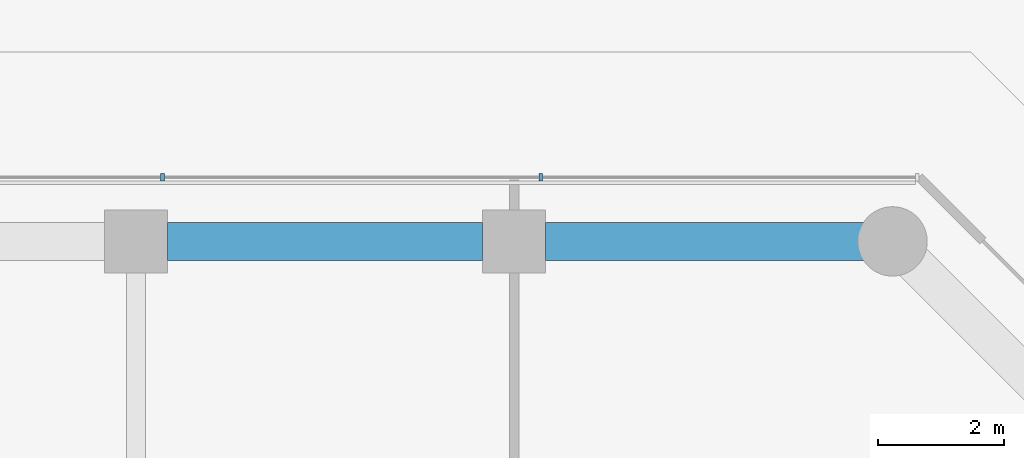
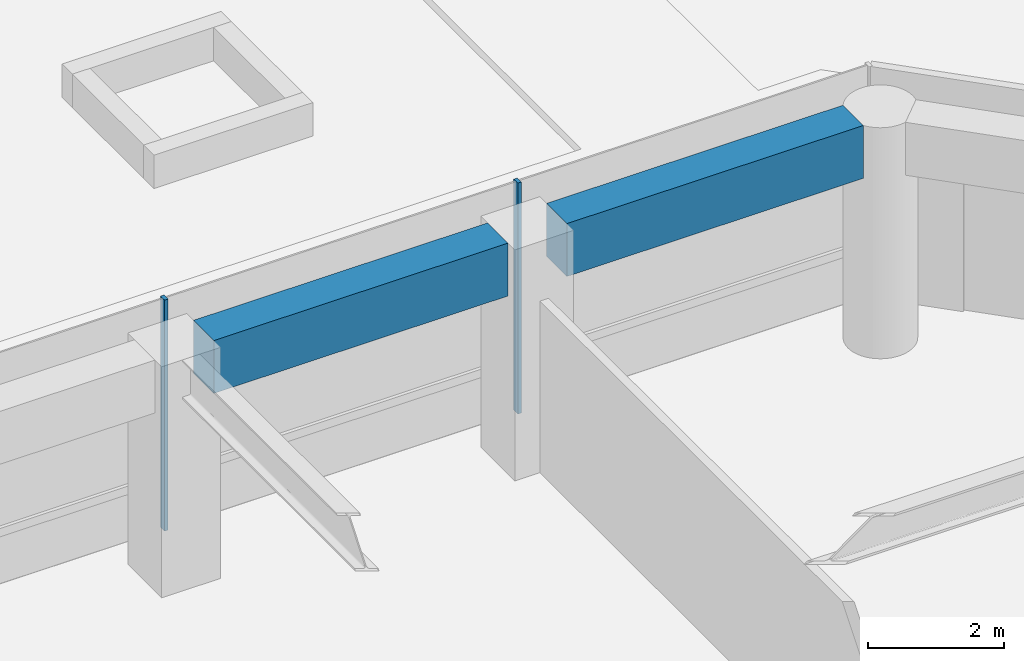
# One storey, part 10 of 31: 2 beams, 2 members, 1 element without a shape of its own.
"""IFC4 building model written with IfcOpenShell, lengths in metres."""

from ifc_helpers import new_model, si_unit, direction, frame, origin, origin_2d, place, context, subcontext, project, spatial, rectangle, extrude, material, layer, layer_set, material_profile, profile_set, type_object, element, aggregate, save


model = new_model("IFC4")

# Units and contexts
model_context = context("Model", 3, precision=1e-05, world=origin(), true_north=direction((0.0, 1.0)))
body_context = subcontext(model_context, "Body", "Model", "MODEL_VIEW")
ifc_project = project(units=[si_unit("LENGTHUNIT", "METRE"), si_unit("AREAUNIT", "SQUARE_METRE"), si_unit("VOLUMEUNIT", "CUBIC_METRE"), si_unit("PLANEANGLEUNIT", "RADIAN"), si_unit("MASSUNIT", "GRAM", prefix="KILO")], contexts=[model_context])

# Site, building, storey
site_placement = place(None, origin())
site = spatial("IfcSite", under=ifc_project, at=site_placement, CompositionType="ELEMENT")
building_placement = place(site_placement, origin())
building = spatial("IfcBuilding", under=site, at=building_placement, Name="Welwitschia Terrace Campus", CompositionType="ELEMENT")
storey_placement = place(building_placement, frame((0.0, 0.0, 11.0)))
storey = spatial("IfcBuildingStorey", under=building, at=storey_placement, Name="L02", CompositionType="ELEMENT", Elevation=11.0)

# Curtain wall, members
ifc_material_1 = material(Name="Bronze anodised aluminium", Category="aluminium")
ifc_layer = layer(ifc_material_1, 0.1201171875)
ifc_layer_set = layer_set([ifc_layer], Name="Bronze anodised aluminium")
curtain_wall_type = type_object("IfcCurtainWallType", Name="Curtain wall CW2 tower 6000", PredefinedType="NOTDEFINED", material=ifc_layer_set)
curtain_wall_placement = place(storey_placement, origin())
curtain_wall = element("IfcCurtainWall", 1, at=curtain_wall_placement, inside=storey, type_object=curtain_wall_type, Name="CW L02.5.0", PredefinedType="NOTDEFINED")
ifc_material_2 = material(Name="Bronze anodised aluminium", Category="aluminium")
ifc_material_profile_1 = material_profile(ifc_material_2, rectangle(XDim=0.1201171875, YDim=0.06005859375, at=origin_2d()))
ifc_profile_set_1 = profile_set([ifc_material_profile_1], Name="Bronze anodised aluminium")
member_type = type_object("IfcMemberType", Name="Mullion 60x120", PredefinedType="MULLION", material=ifc_profile_set_1)
member_1_placement = place(storey_placement, frame((54.422607421875, 21.02001953125, 0.0), z_axis=(0.0, 0.0, 1.0), x_axis=(0.0, -1.0, 0.0)))
member_1 = element("IfcMember", 2, at=member_1_placement, type_object=member_type, Name="Mullion L02.5.0.1", PredefinedType="MULLION", context=body_context, shape_type="SweptSolid", body=[
    extrude(rectangle(XDim=0.1201171875, YDim=0.06005859375, at=origin_2d()), origin(), (0.0, 0.0, 1.0), 4.14990234375),
])
member_2_placement = place(storey_placement, frame((48.422607421875, 21.02001953125, 0.0), z_axis=(0.0, 0.0, 1.0), x_axis=(0.0, -1.0, 0.0)))
member_2 = element("IfcMember", 3, at=member_2_placement, type_object=member_type, Name="Mullion L02.5.0.2", PredefinedType="MULLION", context=body_context, shape_type="SweptSolid", body=[
    extrude(rectangle(XDim=0.1201171875, YDim=0.06005859375, at=origin_2d()), origin(), (0.0, 0.0, 1.0), 4.14990234375),
])
aggregate(curtain_wall, [member_1, member_2])

# Beams
ifc_material_3 = material(Name="Concrete C60/75", Category="concrete")
ifc_material_profile_2 = material_profile(ifc_material_3, rectangle(XDim=0.60009765625, YDim=0.949951171875, at=origin_2d()))
ifc_profile_set_2 = profile_set([ifc_material_profile_2], Name="Concrete C60/75")
beam_type = type_object("IfcBeamType", Name="Ring spandrel 600x950", PredefinedType="SPANDREL", material=ifc_profile_set_2)
beam_1_placement = place(storey_placement, frame((59.53857421875, 20.0, 3.675048828125), z_axis=(-1.0, 0.0, 0.0), x_axis=(0.0, -1.0, 0.0)))
element("IfcBeam", 4, at=beam_1_placement, inside=storey, type_object=beam_type, Name="Spandrel SP1", PredefinedType="SPANDREL", context=body_context, shape_type="SweptSolid", body=[
    extrude(rectangle(XDim=0.60009765625, YDim=0.949951171875, at=origin_2d()), origin(), (0.0, 0.0, 1.0), 5.0380859375),
])
beam_2_placement = place(storey_placement, frame((53.49951171875, 20.0, 3.675048828125), z_axis=(-1.0, 0.0, 0.0), x_axis=(0.0, -1.0, 0.0)))
element("IfcBeam", 5, at=beam_2_placement, inside=storey, type_object=beam_type, Name="Spandrel SP1", PredefinedType="SPANDREL", context=body_context, shape_type="SweptSolid", body=[
    extrude(rectangle(XDim=0.60009765625, YDim=0.949951171875, at=origin_2d()), origin(), (0.0, 0.0, 1.0), 4.9990234375),
])

save(model, "model.ifc")
